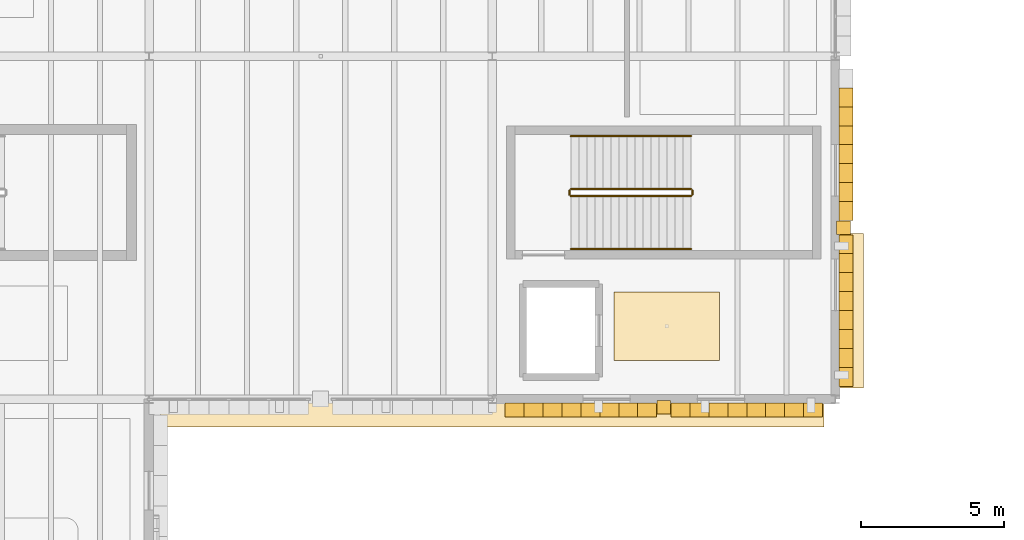
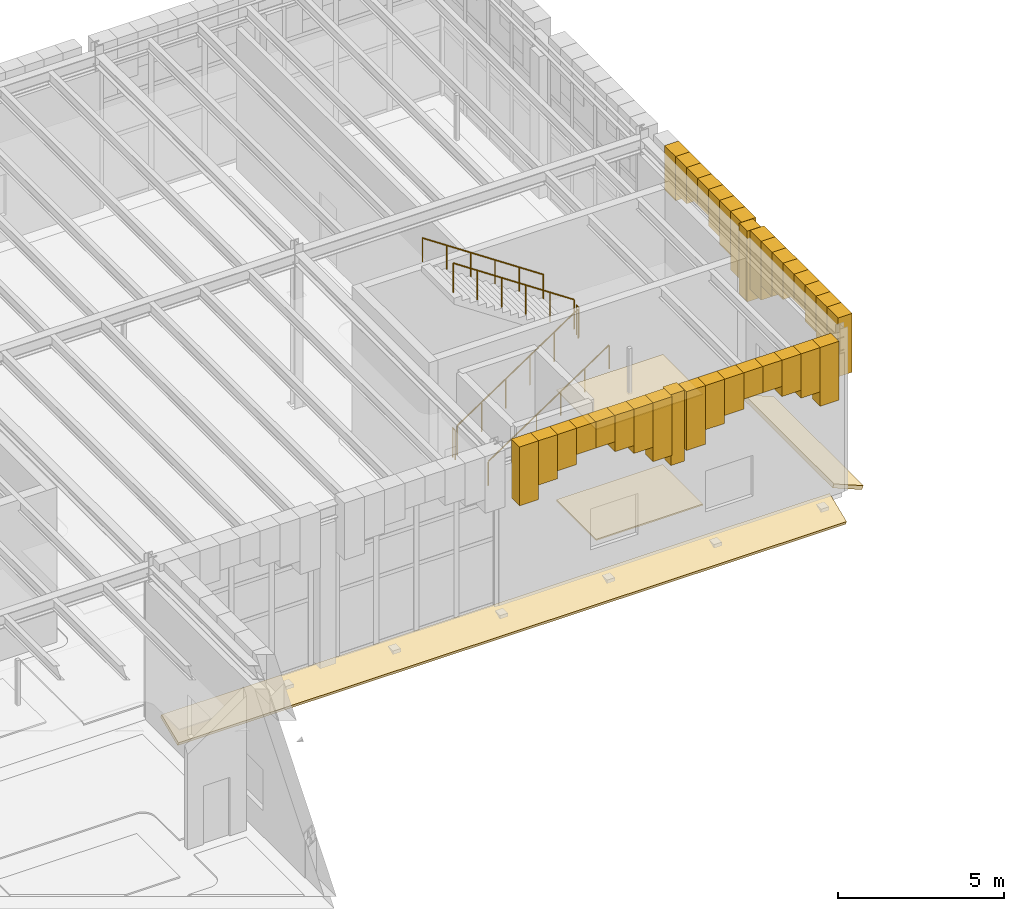
# One storey, part 75 of 83: 37 coverings, 6 railings.
"""IFC4 building model written with IfcOpenShell, lengths in metres."""

from ifc_helpers import new_model, si_unit, direction, frame, origin, origin_2d, place, context, subcontext, project, spatial, polyline, circle, outline, extrude, material, layer, layer_set, type_object, element, save


model = new_model("IFC4")

# Units and contexts
model_context = context("Model", 3, precision=1e-05, world=origin(), true_north=direction((0.0, 1.0)))
body_context = subcontext(model_context, "Body", "Model", "MODEL_VIEW")
ifc_project = project(units=[si_unit("LENGTHUNIT", "METRE"), si_unit("AREAUNIT", "SQUARE_METRE"), si_unit("VOLUMEUNIT", "CUBIC_METRE"), si_unit("PLANEANGLEUNIT", "RADIAN"), si_unit("MASSUNIT", "GRAM", prefix="KILO")], contexts=[model_context])

# Site, building, storey
site_placement = place(None, origin())
site = spatial("IfcSite", under=ifc_project, at=site_placement, CompositionType="ELEMENT")
building_placement = place(site_placement, origin())
building = spatial("IfcBuilding", under=site, at=building_placement, Name="Zlatogorsky Bluff Art Gallery", CompositionType="ELEMENT")
storey_placement = place(building_placement, frame((0.0, 0.0, 10.800048828125)))
storey = spatial("IfcBuildingStorey", under=building, at=storey_placement, Name="L02", CompositionType="ELEMENT", Elevation=10.800048828125)

# Coverings
ifc_material_1 = material(Name="Perforated Gypsum Acoustic Board", Category="gypsum")
ifc_layer_1 = layer(ifc_material_1, 0.0400390625)
ifc_layer_set_1 = layer_set([ifc_layer_1], Name="Acoustic Gallery Ceiling CLG-01")
covering_type_1 = type_object("IfcCoveringType", Name="Acoustic Gallery Ceiling CLG-01", PredefinedType="CEILING", material=ifc_layer_set_1)
covering_1_placement = place(storey_placement, frame((0.0, 0.0, 4.050048828125)))
element("IfcCovering", 1, at=covering_1_placement, inside=storey, type_object=covering_type_1, Name="Lift Lobby PL-2 acoustic ceiling", PredefinedType="CEILING", context=body_context, shape_type="SweptSolid", body=[
    extrude(outline(polyline([(151.949951171875, 87.75), (151.949951171875, 85.35009765625), (148.25, 85.35009765625), (148.25, 87.75), (151.949951171875, 87.75)])), origin(), (0.0, 0.0, 1.0), 0.039794921875),
])
ifc_material_2 = material(Name="Honed Red Agra-Tone Quartzitic Sandstone", Category="masonry")
ifc_layer_2 = layer(ifc_material_2, 0.1201171875)
ifc_layer_set_2 = layer_set([ifc_layer_2], Name="Carved Sandstone Cladding CLD-02")
covering_type_2 = type_object("IfcCoveringType", Name="Carved Sandstone Cladding CLD-02", PredefinedType="CLADDING", material=ifc_layer_set_2)
covering_2_placement = place(storey_placement, frame((0.0, 0.0, 3.35986328125)))
element("IfcCovering", 2, at=covering_2_placement, inside=storey, type_object=covering_type_2, Name="Mughal blind-arch sandstone pilaster L02.S.12.8", PredefinedType="CLADDING", context=body_context, shape_type="SweptSolid", body=[
    extrude(outline(polyline([(149.760009765625, 83.47998046875), (150.239990234375, 83.47998046875), (150.239990234375, 83.9599609375), (149.760009765625, 83.9599609375), (149.760009765625, 83.47998046875)])), origin(), (0.0, 0.0, 1.0), 2.60009765625),
])
covering_3_placement = place(storey_placement, frame((0.0, 0.0, 3.80224609375)))
element("IfcCovering", 3, at=covering_3_placement, inside=storey, type_object=covering_type_2, Name="Pointed Mughal arch voussoir spandrel WARCH-L02-S-12-08-A.1", PredefinedType="CLADDING", context=body_context, shape_type="SweptSolid", body=[
    extrude(outline(polyline([(144.449951171875, 83.3798828125), (145.112548828125, 83.3798828125), (145.112548828125, 83.8701171875), (144.449951171875, 83.8701171875), (144.449951171875, 83.3798828125)])), origin(), (0.0, 0.0, 1.0), 2.15771484375),
])
covering_4_placement = place(storey_placement, frame((0.0, 0.0, 4.333740234375)))
element("IfcCovering", 4, at=covering_4_placement, inside=storey, type_object=covering_type_2, Name="Pointed Mughal arch voussoir spandrel WARCH-L02-S-12-08-A.2", PredefinedType="CLADDING", context=body_context, shape_type="SweptSolid", body=[
    extrude(outline(polyline([(145.112548828125, 83.3798828125), (145.77490234375, 83.3798828125), (145.77490234375, 83.8701171875), (145.112548828125, 83.8701171875), (145.112548828125, 83.3798828125)])), origin(), (0.0, 0.0, 1.0), 1.626220703125),
])
covering_5_placement = place(storey_placement, frame((0.0, 0.0, 4.626708984375)))
element("IfcCovering", 5, at=covering_5_placement, inside=storey, type_object=covering_type_2, Name="Pointed Mughal arch voussoir spandrel WARCH-L02-S-12-08-A.3", PredefinedType="CLADDING", context=body_context, shape_type="SweptSolid", body=[
    extrude(outline(polyline([(145.77490234375, 83.3798828125), (146.4375, 83.3798828125), (146.4375, 83.8701171875), (145.77490234375, 83.8701171875), (145.77490234375, 83.3798828125)])), origin(), (0.0, 0.0, 1.0), 1.333251953125),
])
covering_6_placement = place(storey_placement, frame((0.0, 0.0, 4.995361328125)))
element("IfcCovering", 6, at=covering_6_placement, inside=storey, type_object=covering_type_2, Name="Pointed Mughal arch voussoir spandrel WARCH-L02-S-12-08-A.4", PredefinedType="CLADDING", context=body_context, shape_type="SweptSolid", body=[
    extrude(outline(polyline([(146.4375, 83.3798828125), (147.10009765625, 83.3798828125), (147.10009765625, 83.8701171875), (146.4375, 83.8701171875), (146.4375, 83.3798828125)])), origin(), (0.0, 0.0, 1.0), 0.964599609375),
])
covering_7_placement = place(storey_placement, frame((0.0, 0.0, 4.995361328125)))
element("IfcCovering", 7, at=covering_7_placement, inside=storey, type_object=covering_type_2, Name="Pointed Mughal arch voussoir spandrel WARCH-L02-S-12-08-A.5", PredefinedType="CLADDING", context=body_context, shape_type="SweptSolid", body=[
    extrude(outline(polyline([(147.10009765625, 83.3798828125), (147.762451171875, 83.3798828125), (147.762451171875, 83.8701171875), (147.10009765625, 83.8701171875), (147.10009765625, 83.3798828125)])), origin(), (0.0, 0.0, 1.0), 0.964599609375),
])
covering_8_placement = place(storey_placement, frame((0.0, 0.0, 4.626708984375)))
element("IfcCovering", 8, at=covering_8_placement, inside=storey, type_object=covering_type_2, Name="Pointed Mughal arch voussoir spandrel WARCH-L02-S-12-08-A.6", PredefinedType="CLADDING", context=body_context, shape_type="SweptSolid", body=[
    extrude(outline(polyline([(147.762451171875, 83.3798828125), (148.425048828125, 83.3798828125), (148.425048828125, 83.8701171875), (147.762451171875, 83.8701171875), (147.762451171875, 83.3798828125)])), origin(), (0.0, 0.0, 1.0), 1.333251953125),
])
covering_9_placement = place(storey_placement, frame((0.0, 0.0, 4.333740234375)))
element("IfcCovering", 9, at=covering_9_placement, inside=storey, type_object=covering_type_2, Name="Pointed Mughal arch voussoir spandrel WARCH-L02-S-12-08-A.7", PredefinedType="CLADDING", context=body_context, shape_type="SweptSolid", body=[
    extrude(outline(polyline([(148.425048828125, 83.3798828125), (149.08740234375, 83.3798828125), (149.08740234375, 83.8701171875), (148.425048828125, 83.8701171875), (148.425048828125, 83.3798828125)])), origin(), (0.0, 0.0, 1.0), 1.626220703125),
])
covering_10_placement = place(storey_placement, frame((0.0, 0.0, 3.80224609375)))
element("IfcCovering", 10, at=covering_10_placement, inside=storey, type_object=covering_type_2, Name="Pointed Mughal arch voussoir spandrel WARCH-L02-S-12-08-A.8", PredefinedType="CLADDING", context=body_context, shape_type="SweptSolid", body=[
    extrude(outline(polyline([(149.08740234375, 83.3798828125), (149.75, 83.3798828125), (149.75, 83.8701171875), (149.08740234375, 83.8701171875), (149.08740234375, 83.3798828125)])), origin(), (0.0, 0.0, 1.0), 2.15771484375),
])
covering_11_placement = place(storey_placement, frame((0.0, 0.0, 3.80224609375)))
element("IfcCovering", 11, at=covering_11_placement, inside=storey, type_object=covering_type_2, Name="Pointed Mughal arch voussoir spandrel WARCH-L02-S-12-08-B.1", PredefinedType="CLADDING", context=body_context, shape_type="SweptSolid", body=[
    extrude(outline(polyline([(150.25, 83.3798828125), (150.91259765625, 83.3798828125), (150.91259765625, 83.8701171875), (150.25, 83.8701171875), (150.25, 83.3798828125)])), origin(), (0.0, 0.0, 1.0), 2.15771484375),
])
covering_12_placement = place(storey_placement, frame((0.0, 0.0, 4.333740234375)))
element("IfcCovering", 12, at=covering_12_placement, inside=storey, type_object=covering_type_2, Name="Pointed Mughal arch voussoir spandrel WARCH-L02-S-12-08-B.2", PredefinedType="CLADDING", context=body_context, shape_type="SweptSolid", body=[
    extrude(outline(polyline([(150.91259765625, 83.3798828125), (151.574951171875, 83.3798828125), (151.574951171875, 83.8701171875), (150.91259765625, 83.8701171875), (150.91259765625, 83.3798828125)])), origin(), (0.0, 0.0, 1.0), 1.626220703125),
])
covering_13_placement = place(storey_placement, frame((0.0, 0.0, 4.626708984375)))
element("IfcCovering", 13, at=covering_13_placement, inside=storey, type_object=covering_type_2, Name="Pointed Mughal arch voussoir spandrel WARCH-L02-S-12-08-B.3", PredefinedType="CLADDING", context=body_context, shape_type="SweptSolid", body=[
    extrude(outline(polyline([(151.574951171875, 83.3798828125), (152.237548828125, 83.3798828125), (152.237548828125, 83.8701171875), (151.574951171875, 83.8701171875), (151.574951171875, 83.3798828125)])), origin(), (0.0, 0.0, 1.0), 1.333251953125),
])
covering_14_placement = place(storey_placement, frame((0.0, 0.0, 4.995361328125)))
element("IfcCovering", 14, at=covering_14_placement, inside=storey, type_object=covering_type_2, Name="Pointed Mughal arch voussoir spandrel WARCH-L02-S-12-08-B.4", PredefinedType="CLADDING", context=body_context, shape_type="SweptSolid", body=[
    extrude(outline(polyline([(152.237548828125, 83.3798828125), (152.89990234375, 83.3798828125), (152.89990234375, 83.8701171875), (152.237548828125, 83.8701171875), (152.237548828125, 83.3798828125)])), origin(), (0.0, 0.0, 1.0), 0.964599609375),
])
covering_15_placement = place(storey_placement, frame((0.0, 0.0, 4.995361328125)))
element("IfcCovering", 15, at=covering_15_placement, inside=storey, type_object=covering_type_2, Name="Pointed Mughal arch voussoir spandrel WARCH-L02-S-12-08-B.5", PredefinedType="CLADDING", context=body_context, shape_type="SweptSolid", body=[
    extrude(outline(polyline([(152.89990234375, 83.3798828125), (153.5625, 83.3798828125), (153.5625, 83.8701171875), (152.89990234375, 83.8701171875), (152.89990234375, 83.3798828125)])), origin(), (0.0, 0.0, 1.0), 0.964599609375),
])
covering_16_placement = place(storey_placement, frame((0.0, 0.0, 4.626708984375)))
element("IfcCovering", 16, at=covering_16_placement, inside=storey, type_object=covering_type_2, Name="Pointed Mughal arch voussoir spandrel WARCH-L02-S-12-08-B.6", PredefinedType="CLADDING", context=body_context, shape_type="SweptSolid", body=[
    extrude(outline(polyline([(153.5625, 83.3798828125), (154.22509765625, 83.3798828125), (154.22509765625, 83.8701171875), (153.5625, 83.8701171875), (153.5625, 83.3798828125)])), origin(), (0.0, 0.0, 1.0), 1.333251953125),
])
covering_17_placement = place(storey_placement, frame((0.0, 0.0, 4.333740234375)))
element("IfcCovering", 17, at=covering_17_placement, inside=storey, type_object=covering_type_2, Name="Pointed Mughal arch voussoir spandrel WARCH-L02-S-12-08-B.7", PredefinedType="CLADDING", context=body_context, shape_type="SweptSolid", body=[
    extrude(outline(polyline([(154.22509765625, 83.3798828125), (154.887451171875, 83.3798828125), (154.887451171875, 83.8701171875), (154.22509765625, 83.8701171875), (154.22509765625, 83.3798828125)])), origin(), (0.0, 0.0, 1.0), 1.626220703125),
])
covering_18_placement = place(storey_placement, frame((0.0, 0.0, 3.80224609375)))
element("IfcCovering", 18, at=covering_18_placement, inside=storey, type_object=covering_type_2, Name="Pointed Mughal arch voussoir spandrel WARCH-L02-S-12-08-B.8", PredefinedType="CLADDING", context=body_context, shape_type="SweptSolid", body=[
    extrude(outline(polyline([(154.887451171875, 83.3798828125), (155.550048828125, 83.3798828125), (155.550048828125, 83.8701171875), (154.887451171875, 83.8701171875), (154.887451171875, 83.3798828125)])), origin(), (0.0, 0.0, 1.0), 2.15771484375),
])
covering_19_placement = place(storey_placement, frame((0.0, 0.0, 3.35986328125)))
element("IfcCovering", 19, at=covering_19_placement, inside=storey, type_object=covering_type_2, Name="Mughal blind-arch sandstone pilaster L02.E.12.8", PredefinedType="CLADDING", context=body_context, shape_type="SweptSolid", body=[
    extrude(outline(polyline([(156.0400390625, 89.760009765625), (156.52001953125, 89.760009765625), (156.52001953125, 90.239990234375), (156.0400390625, 90.239990234375), (156.0400390625, 89.760009765625)])), origin(), (0.0, 0.0, 1.0), 2.60009765625),
])
covering_20_placement = place(storey_placement, frame((0.0, 0.0, 3.80224609375)))
element("IfcCovering", 20, at=covering_20_placement, inside=storey, type_object=covering_type_2, Name="Pointed Mughal arch voussoir spandrel WARCH-L02-E-12-08-A.1", PredefinedType="CLADDING", context=body_context, shape_type="SweptSolid", body=[
    extrude(outline(polyline([(156.1298828125, 84.449951171875), (156.1298828125, 85.112548828125), (156.6201171875, 85.112548828125), (156.6201171875, 84.449951171875), (156.1298828125, 84.449951171875)])), origin(), (0.0, 0.0, 1.0), 2.15771484375),
])
covering_21_placement = place(storey_placement, frame((0.0, 0.0, 4.333740234375)))
element("IfcCovering", 21, at=covering_21_placement, inside=storey, type_object=covering_type_2, Name="Pointed Mughal arch voussoir spandrel WARCH-L02-E-12-08-A.2", PredefinedType="CLADDING", context=body_context, shape_type="SweptSolid", body=[
    extrude(outline(polyline([(156.1298828125, 85.112548828125), (156.1298828125, 85.77490234375), (156.6201171875, 85.77490234375), (156.6201171875, 85.112548828125), (156.1298828125, 85.112548828125)])), origin(), (0.0, 0.0, 1.0), 1.626220703125),
])
covering_22_placement = place(storey_placement, frame((0.0, 0.0, 4.626708984375)))
element("IfcCovering", 22, at=covering_22_placement, inside=storey, type_object=covering_type_2, Name="Pointed Mughal arch voussoir spandrel WARCH-L02-E-12-08-A.3", PredefinedType="CLADDING", context=body_context, shape_type="SweptSolid", body=[
    extrude(outline(polyline([(156.1298828125, 85.77490234375), (156.1298828125, 86.4375), (156.6201171875, 86.4375), (156.6201171875, 85.77490234375), (156.1298828125, 85.77490234375)])), origin(), (0.0, 0.0, 1.0), 1.333251953125),
])
covering_23_placement = place(storey_placement, frame((0.0, 0.0, 4.995361328125)))
element("IfcCovering", 23, at=covering_23_placement, inside=storey, type_object=covering_type_2, Name="Pointed Mughal arch voussoir spandrel WARCH-L02-E-12-08-A.4", PredefinedType="CLADDING", context=body_context, shape_type="SweptSolid", body=[
    extrude(outline(polyline([(156.1298828125, 86.4375), (156.1298828125, 87.10009765625), (156.6201171875, 87.10009765625), (156.6201171875, 86.4375), (156.1298828125, 86.4375)])), origin(), (0.0, 0.0, 1.0), 0.964599609375),
])
covering_24_placement = place(storey_placement, frame((0.0, 0.0, 4.995361328125)))
element("IfcCovering", 24, at=covering_24_placement, inside=storey, type_object=covering_type_2, Name="Pointed Mughal arch voussoir spandrel WARCH-L02-E-12-08-A.5", PredefinedType="CLADDING", context=body_context, shape_type="SweptSolid", body=[
    extrude(outline(polyline([(156.1298828125, 87.10009765625), (156.1298828125, 87.762451171875), (156.6201171875, 87.762451171875), (156.6201171875, 87.10009765625), (156.1298828125, 87.10009765625)])), origin(), (0.0, 0.0, 1.0), 0.964599609375),
])
covering_25_placement = place(storey_placement, frame((0.0, 0.0, 4.626708984375)))
element("IfcCovering", 25, at=covering_25_placement, inside=storey, type_object=covering_type_2, Name="Pointed Mughal arch voussoir spandrel WARCH-L02-E-12-08-A.6", PredefinedType="CLADDING", context=body_context, shape_type="SweptSolid", body=[
    extrude(outline(polyline([(156.1298828125, 87.762451171875), (156.1298828125, 88.425048828125), (156.6201171875, 88.425048828125), (156.6201171875, 87.762451171875), (156.1298828125, 87.762451171875)])), origin(), (0.0, 0.0, 1.0), 1.333251953125),
])
covering_26_placement = place(storey_placement, frame((0.0, 0.0, 4.333740234375)))
element("IfcCovering", 26, at=covering_26_placement, inside=storey, type_object=covering_type_2, Name="Pointed Mughal arch voussoir spandrel WARCH-L02-E-12-08-A.7", PredefinedType="CLADDING", context=body_context, shape_type="SweptSolid", body=[
    extrude(outline(polyline([(156.1298828125, 88.425048828125), (156.1298828125, 89.08740234375), (156.6201171875, 89.08740234375), (156.6201171875, 88.425048828125), (156.1298828125, 88.425048828125)])), origin(), (0.0, 0.0, 1.0), 1.626220703125),
])
covering_27_placement = place(storey_placement, frame((0.0, 0.0, 3.80224609375)))
element("IfcCovering", 27, at=covering_27_placement, inside=storey, type_object=covering_type_2, Name="Pointed Mughal arch voussoir spandrel WARCH-L02-E-12-08-A.8", PredefinedType="CLADDING", context=body_context, shape_type="SweptSolid", body=[
    extrude(outline(polyline([(156.1298828125, 89.08740234375), (156.1298828125, 89.75), (156.6201171875, 89.75), (156.6201171875, 89.08740234375), (156.1298828125, 89.08740234375)])), origin(), (0.0, 0.0, 1.0), 2.15771484375),
])
covering_28_placement = place(storey_placement, frame((0.0, 0.0, 3.80224609375)))
element("IfcCovering", 28, at=covering_28_placement, inside=storey, type_object=covering_type_2, Name="Pointed Mughal arch voussoir spandrel WARCH-L02-E-12-08-B.1", PredefinedType="CLADDING", context=body_context, shape_type="SweptSolid", body=[
    extrude(outline(polyline([(156.1298828125, 90.25), (156.1298828125, 90.91259765625), (156.6201171875, 90.91259765625), (156.6201171875, 90.25), (156.1298828125, 90.25)])), origin(), (0.0, 0.0, 1.0), 2.15771484375),
])
covering_29_placement = place(storey_placement, frame((0.0, 0.0, 4.333740234375)))
element("IfcCovering", 29, at=covering_29_placement, inside=storey, type_object=covering_type_2, Name="Pointed Mughal arch voussoir spandrel WARCH-L02-E-12-08-B.2", PredefinedType="CLADDING", context=body_context, shape_type="SweptSolid", body=[
    extrude(outline(polyline([(156.1298828125, 90.91259765625), (156.1298828125, 91.574951171875), (156.6201171875, 91.574951171875), (156.6201171875, 90.91259765625), (156.1298828125, 90.91259765625)])), origin(), (0.0, 0.0, 1.0), 1.626220703125),
])
covering_30_placement = place(storey_placement, frame((0.0, 0.0, 4.626708984375)))
element("IfcCovering", 30, at=covering_30_placement, inside=storey, type_object=covering_type_2, Name="Pointed Mughal arch voussoir spandrel WARCH-L02-E-12-08-B.3", PredefinedType="CLADDING", context=body_context, shape_type="SweptSolid", body=[
    extrude(outline(polyline([(156.1298828125, 91.574951171875), (156.1298828125, 92.237548828125), (156.6201171875, 92.237548828125), (156.6201171875, 91.574951171875), (156.1298828125, 91.574951171875)])), origin(), (0.0, 0.0, 1.0), 1.333251953125),
])
covering_31_placement = place(storey_placement, frame((0.0, 0.0, 4.995361328125)))
element("IfcCovering", 31, at=covering_31_placement, inside=storey, type_object=covering_type_2, Name="Pointed Mughal arch voussoir spandrel WARCH-L02-E-12-08-B.4", PredefinedType="CLADDING", context=body_context, shape_type="SweptSolid", body=[
    extrude(outline(polyline([(156.1298828125, 92.237548828125), (156.1298828125, 92.89990234375), (156.6201171875, 92.89990234375), (156.6201171875, 92.237548828125), (156.1298828125, 92.237548828125)])), origin(), (0.0, 0.0, 1.0), 0.964599609375),
])
covering_32_placement = place(storey_placement, frame((0.0, 0.0, 4.995361328125)))
element("IfcCovering", 32, at=covering_32_placement, inside=storey, type_object=covering_type_2, Name="Pointed Mughal arch voussoir spandrel WARCH-L02-E-12-08-B.5", PredefinedType="CLADDING", context=body_context, shape_type="SweptSolid", body=[
    extrude(outline(polyline([(156.1298828125, 92.89990234375), (156.1298828125, 93.5625), (156.6201171875, 93.5625), (156.6201171875, 92.89990234375), (156.1298828125, 92.89990234375)])), origin(), (0.0, 0.0, 1.0), 0.964599609375),
])
covering_33_placement = place(storey_placement, frame((0.0, 0.0, 4.626708984375)))
element("IfcCovering", 33, at=covering_33_placement, inside=storey, type_object=covering_type_2, Name="Pointed Mughal arch voussoir spandrel WARCH-L02-E-12-08-B.6", PredefinedType="CLADDING", context=body_context, shape_type="SweptSolid", body=[
    extrude(outline(polyline([(156.1298828125, 93.5625), (156.1298828125, 94.22509765625), (156.6201171875, 94.22509765625), (156.6201171875, 93.5625), (156.1298828125, 93.5625)])), origin(), (0.0, 0.0, 1.0), 1.333251953125),
])
covering_34_placement = place(storey_placement, frame((0.0, 0.0, 4.333740234375)))
element("IfcCovering", 34, at=covering_34_placement, inside=storey, type_object=covering_type_2, Name="Pointed Mughal arch voussoir spandrel WARCH-L02-E-12-08-B.7", PredefinedType="CLADDING", context=body_context, shape_type="SweptSolid", body=[
    extrude(outline(polyline([(156.1298828125, 94.22509765625), (156.1298828125, 94.887451171875), (156.6201171875, 94.887451171875), (156.6201171875, 94.22509765625), (156.1298828125, 94.22509765625)])), origin(), (0.0, 0.0, 1.0), 1.626220703125),
])
covering_35_placement = place(storey_placement, frame((155.9599609375, 89.800048828125, -0.0400390625), z_axis=(0.380683013172, 0.0, 0.924705598276), x_axis=(0.0, -1.0, 0.0)))
element("IfcCovering", 35, at=covering_35_placement, inside=storey, type_object=covering_type_2, Name="Projecting sloped Mughal chhajja stone eave CHJ-NE-E-L02A", PredefinedType="CLADDING", context=body_context, shape_type="SweptSolid", body=[
    extrude(outline(polyline([(0.0, 0.0), (5.400146484375, 0.0), (5.400146484375, 1.1030748955691927), (0.0, 1.1030748955691927), (0.0, 0.0)])), origin(), (0.0, 0.0, -1.0), 0.139892578125),
])
covering_36_placement = place(storey_placement, frame((155.60009765625, 84.0400390625, -0.0400390625), z_axis=(0.0, -0.380683013172, 0.924705598276), x_axis=(-1.0, 0.0, 0.0)))
element("IfcCovering", 36, at=covering_36_placement, inside=storey, type_object=covering_type_2, Name="Projecting sloped Mughal chhajja stone eave CHJ-NE-S-L02", PredefinedType="CLADDING", context=body_context, shape_type="SweptSolid", body=[
    extrude(outline(polyline([(0.0, 0.0), (23.2001953125, 0.0), (23.2001953125, 1.1030748955691927), (0.0, 1.1030748955691927), (0.0, 0.0)])), origin(), (0.0, 0.0, -1.0), 0.139892578125),
])

# Railings
ifc_material_3 = material(Name="Architectural Bronze and Laminated Glass", Category="glass")
railing_type_1 = type_object("IfcRailingType", Name="Gallery Guard Rail 1100mm", PredefinedType="GUARDRAIL", material=ifc_material_3)
railing_1_placement = place(storey_placement, frame((146.75, 91.10009765625, 0.1875)))
element("IfcRailing", 37, at=railing_1_placement, inside=storey, type_object=railing_type_1, Name="L02 ST-04 stair guard 1", PredefinedType="GUARDRAIL", context=body_context, shape_type="SweptSolid", body=[
    extrude(circle(Radius=0.02392578125, at=origin_2d()), frame((0.0, 0.0, 1.076171875), z_axis=(0.830904186295, 0.0, 0.556415522067), x_axis=(0.0, 1.0, 0.0)), (0.0, 0.0, 1.0), 5.0546875),
    extrude(circle(Radius=0.02099609375, at=origin_2d()), origin(), (0.0, 0.0, 1.0), 1.052001953125),
    extrude(circle(Radius=0.02099609375, at=origin_2d()), frame((0.840087890625, 0.0, 0.5625)), (0.0, 0.0, 1.0), 1.052001953125),
    extrude(circle(Radius=0.02099609375, at=origin_2d()), frame((1.679931640625, 0.0, 1.125)), (0.0, 0.0, 1.0), 1.052001953125),
    extrude(circle(Radius=0.02099609375, at=origin_2d()), frame((2.52001953125, 0.0, 1.6875)), (0.0, 0.0, 1.0), 1.052001953125),
    extrude(circle(Radius=0.02099609375, at=origin_2d()), frame((3.35986328125, 0.0, 2.25)), (0.0, 0.0, 1.0), 1.052001953125),
    extrude(circle(Radius=0.02099609375, at=origin_2d()), frame((4.199951171875, 0.0, 2.8125)), (0.0, 0.0, 1.0), 1.052001953125),
])
railing_2_placement = place(storey_placement, frame((151.0, 91.14990234375, 3.0)))
element("IfcRailing", 38, at=railing_2_placement, inside=storey, type_object=railing_type_1, Name="L02 ST-04 stair guard 2", PredefinedType="GUARDRAIL", context=body_context, shape_type="SweptSolid", body=[
    extrude(circle(Radius=0.02392578125, at=origin_2d()), frame((0.0, 0.0, 1.076171875), z_axis=(0.0, 1.0, 0.0), x_axis=(-1.0, 0.0, 0.0)), (0.0, 0.0, 1.0), 0.150146484375),
    extrude(circle(Radius=0.02099609375, at=origin_2d()), origin(), (0.0, 0.0, 1.0), 1.052001953125),
    extrude(circle(Radius=0.02099609375, at=origin_2d()), frame((0.0, 0.150146484375, 0.0)), (0.0, 0.0, 1.0), 1.052001953125),
])
railing_3_placement = place(storey_placement, frame((150.949951171875, 91.35009765625, 3.1875)))
element("IfcRailing", 39, at=railing_3_placement, inside=storey, type_object=railing_type_1, Name="L02 ST-04 stair guard 3", PredefinedType="GUARDRAIL", context=body_context, shape_type="SweptSolid", body=[
    extrude(circle(Radius=0.02392578125, at=origin_2d()), frame((0.0, 0.0, 1.076171875), z_axis=(-0.830904186295, 0.0, 0.556415522067), x_axis=(0.0, -1.0, 0.0)), (0.0, 0.0, 1.0), 5.0546875),
    extrude(circle(Radius=0.02099609375, at=origin_2d()), origin(), (0.0, 0.0, 1.0), 1.052001953125),
    extrude(circle(Radius=0.02099609375, at=origin_2d()), frame((-0.840087890625, 0.0, 0.5625)), (0.0, 0.0, 1.0), 1.052001953125),
    extrude(circle(Radius=0.02099609375, at=origin_2d()), frame((-1.679931640625, 0.0, 1.125)), (0.0, 0.0, 1.0), 1.052001953125),
    extrude(circle(Radius=0.02099609375, at=origin_2d()), frame((-2.52001953125, 0.0, 1.6875)), (0.0, 0.0, 1.0), 1.052001953125),
    extrude(circle(Radius=0.02099609375, at=origin_2d()), frame((-3.35986328125, 0.0, 2.25)), (0.0, 0.0, 1.0), 1.052001953125),
    extrude(circle(Radius=0.02099609375, at=origin_2d()), frame((-4.199951171875, 0.0, 2.8125)), (0.0, 0.0, 1.0), 1.052001953125),
])
railing_4_placement = place(storey_placement, frame((146.699951171875, 91.14990234375, 0.0)))
element("IfcRailing", 40, at=railing_4_placement, inside=storey, type_object=railing_type_1, Name="L02 ST-04 stair guard 4", PredefinedType="GUARDRAIL", context=body_context, shape_type="SweptSolid", body=[
    extrude(circle(Radius=0.02392578125, at=origin_2d()), frame((0.0, 0.0, 1.076171875), z_axis=(0.0, 1.0, 0.0), x_axis=(-1.0, 0.0, 0.0)), (0.0, 0.0, 1.0), 0.150146484375),
    extrude(circle(Radius=0.02099609375, at=origin_2d()), origin(), (0.0, 0.0, 1.0), 1.052001953125),
    extrude(circle(Radius=0.02099609375, at=origin_2d()), frame((0.0, 0.150146484375, 0.0)), (0.0, 0.0, 1.0), 1.052001953125),
])
ifc_material_4 = material(Name="Brushed Stainless Steel", Category="steel")
railing_type_2 = type_object("IfcRailingType", Name="Stair Pitch Handrail 900mm", PredefinedType="HANDRAIL", material=ifc_material_4)
railing_5_placement = place(storey_placement, frame((146.75, 89.25, 0.1875)))
element("IfcRailing", 41, at=railing_5_placement, inside=storey, type_object=railing_type_2, Name="L02 ST-04 stair handrail 1", PredefinedType="HANDRAIL", context=body_context, shape_type="SweptSolid", body=[
    extrude(circle(Radius=0.02392578125, at=origin_2d()), frame((0.0, 0.0, 0.8759765625), z_axis=(0.830904186295, 0.0, 0.556415522067), x_axis=(0.0, 1.0, 0.0)), (0.0, 0.0, 1.0), 5.0546875),
    extrude(circle(Radius=0.02099609375, at=origin_2d()), origin(), (0.0, 0.0, 1.0), 0.851806640625),
    extrude(circle(Radius=0.02099609375, at=origin_2d()), frame((0.840087890625, 0.0, 0.5625)), (0.0, 0.0, 1.0), 0.851806640625),
    extrude(circle(Radius=0.02099609375, at=origin_2d()), frame((1.679931640625, 0.0, 1.125)), (0.0, 0.0, 1.0), 0.851806640625),
    extrude(circle(Radius=0.02099609375, at=origin_2d()), frame((2.52001953125, 0.0, 1.6875)), (0.0, 0.0, 1.0), 0.851806640625),
    extrude(circle(Radius=0.02099609375, at=origin_2d()), frame((3.35986328125, 0.0, 2.25)), (0.0, 0.0, 1.0), 0.851806640625),
    extrude(circle(Radius=0.02099609375, at=origin_2d()), frame((4.199951171875, 0.0, 2.8125)), (0.0, 0.0, 1.0), 0.851806640625),
])
railing_6_placement = place(storey_placement, frame((150.949951171875, 93.199951171875, 3.1875)))
element("IfcRailing", 42, at=railing_6_placement, inside=storey, type_object=railing_type_2, Name="L02 ST-04 stair handrail 2", PredefinedType="HANDRAIL", context=body_context, shape_type="SweptSolid", body=[
    extrude(circle(Radius=0.02392578125, at=origin_2d()), frame((0.0, 0.0, 0.8759765625), z_axis=(-0.830904186295, 0.0, 0.556415522067), x_axis=(0.0, -1.0, 0.0)), (0.0, 0.0, 1.0), 5.0546875),
    extrude(circle(Radius=0.02099609375, at=origin_2d()), origin(), (0.0, 0.0, 1.0), 0.851806640625),
    extrude(circle(Radius=0.02099609375, at=origin_2d()), frame((-0.840087890625, 0.0, 0.5625)), (0.0, 0.0, 1.0), 0.851806640625),
    extrude(circle(Radius=0.02099609375, at=origin_2d()), frame((-1.679931640625, 0.0, 1.125)), (0.0, 0.0, 1.0), 0.851806640625),
    extrude(circle(Radius=0.02099609375, at=origin_2d()), frame((-2.52001953125, 0.0, 1.6875)), (0.0, 0.0, 1.0), 0.851806640625),
    extrude(circle(Radius=0.02099609375, at=origin_2d()), frame((-3.35986328125, 0.0, 2.25)), (0.0, 0.0, 1.0), 0.851806640625),
    extrude(circle(Radius=0.02099609375, at=origin_2d()), frame((-4.199951171875, 0.0, 2.8125)), (0.0, 0.0, 1.0), 0.851806640625),
])

# Covering
ifc_material_5 = material(Name="Polished Ural Marble Terrazzo", Category="masonry")
ifc_layer_3 = layer(ifc_material_5, 0.050048828125)
ifc_layer_set_3 = layer_set([ifc_layer_3], Name="Terrazzo Gallery Flooring FLR-01")
covering_type_3 = type_object("IfcCoveringType", Name="Terrazzo Gallery Flooring FLR-01", PredefinedType="FLOORING", material=ifc_layer_set_3)
covering_37_placement = place(storey_placement, origin())
element("IfcCovering", 43, at=covering_37_placement, inside=storey, type_object=covering_type_3, Name="Lift Lobby PL-2 terrazzo floor finish", PredefinedType="FLOORING", context=body_context, shape_type="SweptSolid", body=[
    extrude(outline(polyline([(151.949951171875, 87.75), (151.949951171875, 85.35009765625), (148.25, 85.35009765625), (148.25, 87.75), (151.949951171875, 87.75)])), origin(), (0.0, 0.0, 1.0), 0.050048828125),
])

save(model, "model.ifc")
